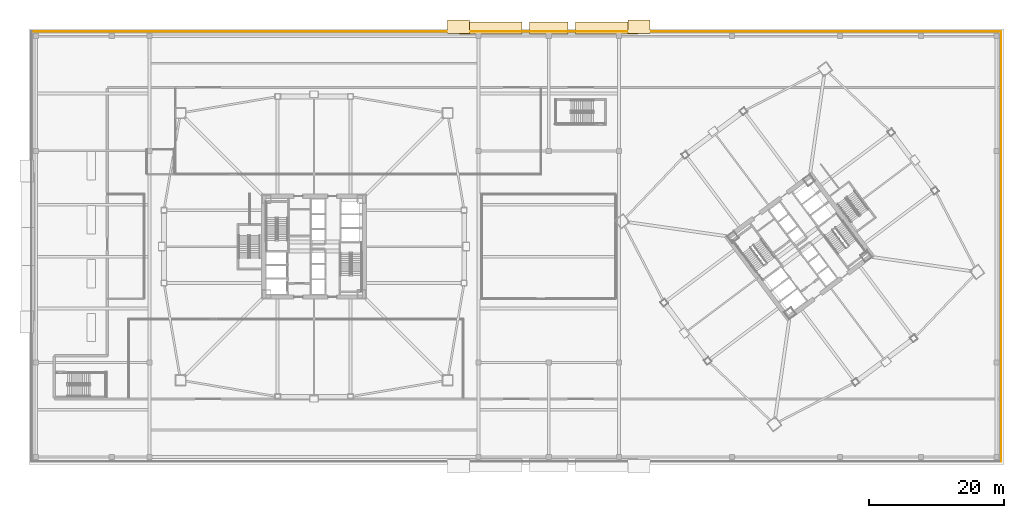
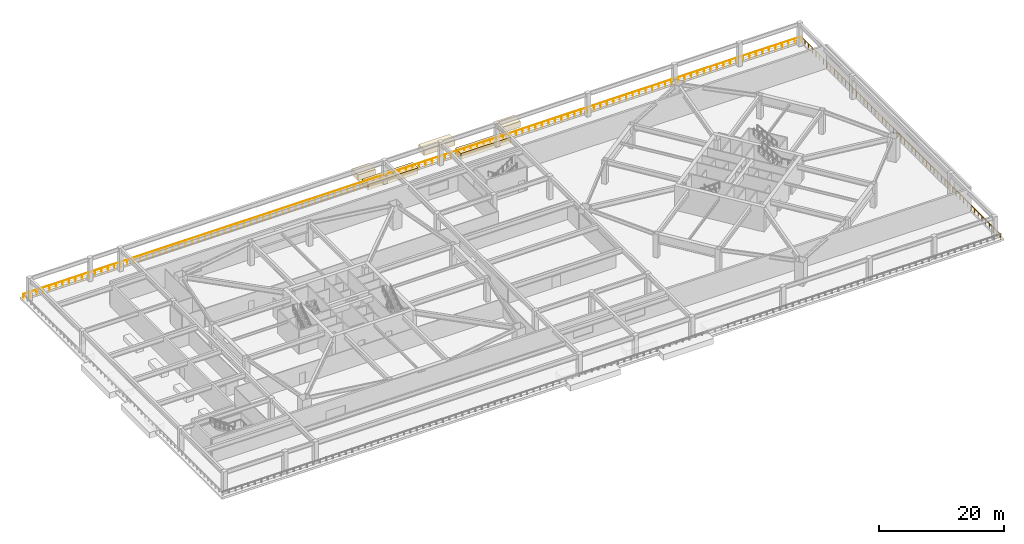
# One storey, part 21 of 21: 5 coverings, 2 railings.
"""IFC4 building model written with IfcOpenShell, lengths in metres."""

from ifc_helpers import new_model, si_unit, direction, frame, origin, origin_2d, place, context, subcontext, project, spatial, rectangle, extrude, material, layer, layer_set, type_object, element, save


model = new_model("IFC4")

# Units and contexts
model_context = context("Model", 3, precision=1e-05, world=origin(), true_north=direction((0.0, 1.0)))
body_context = subcontext(model_context, "Body", "Model", "MODEL_VIEW")
ifc_project = project(units=[si_unit("LENGTHUNIT", "METRE"), si_unit("AREAUNIT", "SQUARE_METRE"), si_unit("VOLUMEUNIT", "CUBIC_METRE"), si_unit("PLANEANGLEUNIT", "RADIAN"), si_unit("MASSUNIT", "GRAM", prefix="KILO")], contexts=[model_context])

# Site, building, storey
site_placement = place(None, origin())
site = spatial("IfcSite", under=ifc_project, at=site_placement, CompositionType="ELEMENT")
building_placement = place(site_placement, origin())
building = spatial("IfcBuilding", under=site, at=building_placement, Name="Tashvorn Skyway Center", CompositionType="ELEMENT")
storey_placement = place(building_placement, frame((0.0, 0.0, 19.800048828125)))
storey = spatial("IfcBuildingStorey", under=building, at=storey_placement, Name="L04", CompositionType="ELEMENT", Elevation=19.800048828125)

# Coverings
ifc_material_1 = material(Name="Precast concrete C40/50", Category="concrete")
ifc_layer = layer(ifc_material_1, 0.35009765625)
ifc_layer_set = layer_set([ifc_layer], Name="Precast concrete C40/50")
covering_type = type_object("IfcCoveringType", Name="COV-STONE-TRIM", PredefinedType="CLADDING", material=ifc_layer_set)
for number, where, z_axis, x_axis, name in (
    (1, (63.39990234375, 64.60009765625, 1.77490234375), (0.0, 0.0, 1.0), (1.0, 0.0, 0.0), "Station Pylon Terracotta Capital NORTH 1"),
    (2, (90.199951171875, 64.60009765625, 1.77490234375), (0.0, 0.0, 1.0), (1.0, 0.0, 0.0), "Station Pylon Terracotta Capital NORTH 2"),
):
    element("IfcCovering", number, at=place(storey_placement, frame(where, z_axis=z_axis, x_axis=x_axis)), inside=storey, type_object=covering_type, Name=name, PredefinedType="CLADDING", context=body_context, shape_type="SweptSolid", body=[
        extrude(rectangle(XDim=3.25, YDim=2.0, at=origin_2d()), origin(), (0.0, 0.0, 1.0), 1.14990234375),
    ])
for number, where, z_axis, x_axis, name in (
    (3, (68.199951171875, 64.419921875, -0.610107421875), (0.0, 0.0, 1.0), (1.0, 0.0, 0.0), "Station Split-Pediment Terracotta Crest NORTH L"),
    (4, (85.39990234375, 64.419921875, -0.610107421875), (0.0, 0.0, 1.0), (1.0, 0.0, 0.0), "Station Split-Pediment Terracotta Crest NORTH R"),
):
    element("IfcCovering", number, at=place(storey_placement, frame(where, z_axis=z_axis, x_axis=x_axis)), inside=storey, type_object=covering_type, Name=name, PredefinedType="CLADDING", context=body_context, shape_type="SweptSolid", body=[
        extrude(rectangle(XDim=9.300048828125, YDim=1.800048828125, at=origin_2d()), origin(), (0.0, 0.0, 1.0), 1.1201171875),
    ])
covering_placement = place(storey_placement, frame((76.800048828125, 64.419921875, 2.489990234375), z_axis=(0.0, 0.0, 1.0), x_axis=(1.0, 0.0, 0.0)))
element("IfcCovering", 5, at=covering_placement, inside=storey, type_object=covering_type, Name="Station Split-Pediment Terracotta Crest NORTH KEY", PredefinedType="CLADDING", context=body_context, shape_type="SweptSolid", body=[
    extrude(rectangle(XDim=5.699951171875, YDim=1.800048828125, at=origin_2d()), origin(), (0.0, 0.0, 1.0), 1.1201171875),
])

# Railings
ifc_material_2 = material(Name="Galvanized steel S355", Category="steel")
railing_type = type_object("IfcRailingType", Name="RAIL-GUARD-1120", PredefinedType="GUARDRAIL", material=ifc_material_2)
railing_1_placement = place(storey_placement, frame((143.8798828125, 0.1201171875, 0.0)))
element("IfcRailing", 6, at=railing_1_placement, inside=storey, type_object=railing_type, Name="L04 Stepped Podium Colonnade Terrace Guardrail 02", PredefinedType="GUARDRAIL", context=body_context, shape_type="SweptSolid", body=[
    extrude(rectangle(XDim=0.048095703125, YDim=0.048095703125, at=origin_2d()), frame((0.0, 0.0, 1.09619140625), z_axis=(0.0, 1.0, 0.0), x_axis=(-1.0, 0.0, 0.0)), (0.0, 0.0, 1.0), 63.759765625),
    extrude(rectangle(XDim=0.0419921875, YDim=0.0419921875, at=origin_2d()), origin(), (0.0, 0.0, 1.0), 1.072021484375),
    extrude(rectangle(XDim=0.0419921875, YDim=0.0419921875, at=origin_2d()), frame((0.0, 1.1806640625, 0.0)), (0.0, 0.0, 1.0), 1.072021484375),
    extrude(rectangle(XDim=0.0419921875, YDim=0.0419921875, at=origin_2d()), frame((0.0, 2.361572265625, 0.0)), (0.0, 0.0, 1.0), 1.072021484375),
    extrude(rectangle(XDim=0.0419921875, YDim=0.0419921875, at=origin_2d()), frame((0.0, 3.542236328125, 0.0)), (0.0, 0.0, 1.0), 1.072021484375),
    extrude(rectangle(XDim=0.0419921875, YDim=0.0419921875, at=origin_2d()), frame((0.0, 4.722900390625, 0.0)), (0.0, 0.0, 1.0), 1.072021484375),
    extrude(rectangle(XDim=0.0419921875, YDim=0.0419921875, at=origin_2d()), frame((0.0, 5.903564453125, 0.0)), (0.0, 0.0, 1.0), 1.072021484375),
    extrude(rectangle(XDim=0.0419921875, YDim=0.0419921875, at=origin_2d()), frame((0.0, 7.08447265625, 0.0)), (0.0, 0.0, 1.0), 1.072021484375),
    extrude(rectangle(XDim=0.0419921875, YDim=0.0419921875, at=origin_2d()), frame((0.0, 8.26513671875, 0.0)), (0.0, 0.0, 1.0), 1.072021484375),
    extrude(rectangle(XDim=0.0419921875, YDim=0.0419921875, at=origin_2d()), frame((0.0, 9.44580078125, 0.0)), (0.0, 0.0, 1.0), 1.072021484375),
    extrude(rectangle(XDim=0.0419921875, YDim=0.0419921875, at=origin_2d()), frame((0.0, 10.626708984375, 0.0)), (0.0, 0.0, 1.0), 1.072021484375),
    extrude(rectangle(XDim=0.0419921875, YDim=0.0419921875, at=origin_2d()), frame((0.0, 11.807373046875, 0.0)), (0.0, 0.0, 1.0), 1.072021484375),
    extrude(rectangle(XDim=0.0419921875, YDim=0.0419921875, at=origin_2d()), frame((0.0, 12.988037109375, 0.0)), (0.0, 0.0, 1.0), 1.072021484375),
    extrude(rectangle(XDim=0.0419921875, YDim=0.0419921875, at=origin_2d()), frame((0.0, 14.1689453125, 0.0)), (0.0, 0.0, 1.0), 1.072021484375),
    extrude(rectangle(XDim=0.0419921875, YDim=0.0419921875, at=origin_2d()), frame((0.0, 15.349609375, 0.0)), (0.0, 0.0, 1.0), 1.072021484375),
    extrude(rectangle(XDim=0.0419921875, YDim=0.0419921875, at=origin_2d()), frame((0.0, 16.5302734375, 0.0)), (0.0, 0.0, 1.0), 1.072021484375),
    extrude(rectangle(XDim=0.0419921875, YDim=0.0419921875, at=origin_2d()), frame((0.0, 17.7109375, 0.0)), (0.0, 0.0, 1.0), 1.072021484375),
    extrude(rectangle(XDim=0.0419921875, YDim=0.0419921875, at=origin_2d()), frame((0.0, 18.891845703125, 0.0)), (0.0, 0.0, 1.0), 1.072021484375),
    extrude(rectangle(XDim=0.0419921875, YDim=0.0419921875, at=origin_2d()), frame((0.0, 20.072509765625, 0.0)), (0.0, 0.0, 1.0), 1.072021484375),
    extrude(rectangle(XDim=0.0419921875, YDim=0.0419921875, at=origin_2d()), frame((0.0, 21.253173828125, 0.0)), (0.0, 0.0, 1.0), 1.072021484375),
    extrude(rectangle(XDim=0.0419921875, YDim=0.0419921875, at=origin_2d()), frame((0.0, 22.43408203125, 0.0)), (0.0, 0.0, 1.0), 1.072021484375),
    extrude(rectangle(XDim=0.0419921875, YDim=0.0419921875, at=origin_2d()), frame((0.0, 23.61474609375, 0.0)), (0.0, 0.0, 1.0), 1.072021484375),
    extrude(rectangle(XDim=0.0419921875, YDim=0.0419921875, at=origin_2d()), frame((0.0, 24.79541015625, 0.0)), (0.0, 0.0, 1.0), 1.072021484375),
    extrude(rectangle(XDim=0.0419921875, YDim=0.0419921875, at=origin_2d()), frame((0.0, 25.976318359375, 0.0)), (0.0, 0.0, 1.0), 1.072021484375),
    extrude(rectangle(XDim=0.0419921875, YDim=0.0419921875, at=origin_2d()), frame((0.0, 27.156982421875, 0.0)), (0.0, 0.0, 1.0), 1.072021484375),
    extrude(rectangle(XDim=0.0419921875, YDim=0.0419921875, at=origin_2d()), frame((0.0, 28.337646484375, 0.0)), (0.0, 0.0, 1.0), 1.072021484375),
    extrude(rectangle(XDim=0.0419921875, YDim=0.0419921875, at=origin_2d()), frame((0.0, 29.518310546875, 0.0)), (0.0, 0.0, 1.0), 1.072021484375),
    extrude(rectangle(XDim=0.0419921875, YDim=0.0419921875, at=origin_2d()), frame((0.0, 30.69921875, 0.0)), (0.0, 0.0, 1.0), 1.072021484375),
    extrude(rectangle(XDim=0.0419921875, YDim=0.0419921875, at=origin_2d()), frame((0.0, 31.8798828125, 0.0)), (0.0, 0.0, 1.0), 1.072021484375),
    extrude(rectangle(XDim=0.0419921875, YDim=0.0419921875, at=origin_2d()), frame((0.0, 33.060546875, 0.0)), (0.0, 0.0, 1.0), 1.072021484375),
    extrude(rectangle(XDim=0.0419921875, YDim=0.0419921875, at=origin_2d()), frame((0.0, 34.241455078125, 0.0)), (0.0, 0.0, 1.0), 1.072021484375),
    extrude(rectangle(XDim=0.0419921875, YDim=0.0419921875, at=origin_2d()), frame((0.0, 35.422119140625, 0.0)), (0.0, 0.0, 1.0), 1.072021484375),
    extrude(rectangle(XDim=0.0419921875, YDim=0.0419921875, at=origin_2d()), frame((0.0, 36.602783203125, 0.0)), (0.0, 0.0, 1.0), 1.072021484375),
    extrude(rectangle(XDim=0.0419921875, YDim=0.0419921875, at=origin_2d()), frame((0.0, 37.783447265625, 0.0)), (0.0, 0.0, 1.0), 1.072021484375),
    extrude(rectangle(XDim=0.0419921875, YDim=0.0419921875, at=origin_2d()), frame((0.0, 38.96435546875, 0.0)), (0.0, 0.0, 1.0), 1.072021484375),
    extrude(rectangle(XDim=0.0419921875, YDim=0.0419921875, at=origin_2d()), frame((0.0, 40.14501953125, 0.0)), (0.0, 0.0, 1.0), 1.072021484375),
    extrude(rectangle(XDim=0.0419921875, YDim=0.0419921875, at=origin_2d()), frame((0.0, 41.32568359375, 0.0)), (0.0, 0.0, 1.0), 1.072021484375),
    extrude(rectangle(XDim=0.0419921875, YDim=0.0419921875, at=origin_2d()), frame((0.0, 42.506591796875, 0.0)), (0.0, 0.0, 1.0), 1.072021484375),
    extrude(rectangle(XDim=0.0419921875, YDim=0.0419921875, at=origin_2d()), frame((0.0, 43.687255859375, 0.0)), (0.0, 0.0, 1.0), 1.072021484375),
    extrude(rectangle(XDim=0.0419921875, YDim=0.0419921875, at=origin_2d()), frame((0.0, 44.867919921875, 0.0)), (0.0, 0.0, 1.0), 1.072021484375),
    extrude(rectangle(XDim=0.0419921875, YDim=0.0419921875, at=origin_2d()), frame((0.0, 46.048828125, 0.0)), (0.0, 0.0, 1.0), 1.072021484375),
    extrude(rectangle(XDim=0.0419921875, YDim=0.0419921875, at=origin_2d()), frame((0.0, 47.2294921875, 0.0)), (0.0, 0.0, 1.0), 1.072021484375),
    extrude(rectangle(XDim=0.0419921875, YDim=0.0419921875, at=origin_2d()), frame((0.0, 48.41015625, 0.0)), (0.0, 0.0, 1.0), 1.072021484375),
    extrude(rectangle(XDim=0.0419921875, YDim=0.0419921875, at=origin_2d()), frame((0.0, 49.5908203125, 0.0)), (0.0, 0.0, 1.0), 1.072021484375),
    extrude(rectangle(XDim=0.0419921875, YDim=0.0419921875, at=origin_2d()), frame((0.0, 50.771728515625, 0.0)), (0.0, 0.0, 1.0), 1.072021484375),
    extrude(rectangle(XDim=0.0419921875, YDim=0.0419921875, at=origin_2d()), frame((0.0, 51.952392578125, 0.0)), (0.0, 0.0, 1.0), 1.072021484375),
    extrude(rectangle(XDim=0.0419921875, YDim=0.0419921875, at=origin_2d()), frame((0.0, 53.133056640625, 0.0)), (0.0, 0.0, 1.0), 1.072021484375),
    extrude(rectangle(XDim=0.0419921875, YDim=0.0419921875, at=origin_2d()), frame((0.0, 54.31396484375, 0.0)), (0.0, 0.0, 1.0), 1.072021484375),
    extrude(rectangle(XDim=0.0419921875, YDim=0.0419921875, at=origin_2d()), frame((0.0, 55.49462890625, 0.0)), (0.0, 0.0, 1.0), 1.072021484375),
    extrude(rectangle(XDim=0.0419921875, YDim=0.0419921875, at=origin_2d()), frame((0.0, 56.67529296875, 0.0)), (0.0, 0.0, 1.0), 1.072021484375),
    extrude(rectangle(XDim=0.0419921875, YDim=0.0419921875, at=origin_2d()), frame((0.0, 57.856201171875, 0.0)), (0.0, 0.0, 1.0), 1.072021484375),
    extrude(rectangle(XDim=0.0419921875, YDim=0.0419921875, at=origin_2d()), frame((0.0, 59.036865234375, 0.0)), (0.0, 0.0, 1.0), 1.072021484375),
    extrude(rectangle(XDim=0.0419921875, YDim=0.0419921875, at=origin_2d()), frame((0.0, 60.217529296875, 0.0)), (0.0, 0.0, 1.0), 1.072021484375),
    extrude(rectangle(XDim=0.0419921875, YDim=0.0419921875, at=origin_2d()), frame((0.0, 61.398193359375, 0.0)), (0.0, 0.0, 1.0), 1.072021484375),
    extrude(rectangle(XDim=0.0419921875, YDim=0.0419921875, at=origin_2d()), frame((0.0, 62.5791015625, 0.0)), (0.0, 0.0, 1.0), 1.072021484375),
    extrude(rectangle(XDim=0.0419921875, YDim=0.0419921875, at=origin_2d()), frame((0.0, 63.759765625, 0.0)), (0.0, 0.0, 1.0), 1.072021484375),
])
railing_2_placement = place(storey_placement, frame((143.8798828125, 63.8798828125, 0.0)))
element("IfcRailing", 7, at=railing_2_placement, inside=storey, type_object=railing_type, Name="L04 Stepped Podium Colonnade Terrace Guardrail 03", PredefinedType="GUARDRAIL", context=body_context, shape_type="SweptSolid", body=[
    extrude(rectangle(XDim=0.048095703125, YDim=0.048095703125, at=origin_2d()), frame((0.0, 0.0, 1.09619140625), z_axis=(-1.0, 0.0, 0.0), x_axis=(0.0, -1.0, 0.0)), (0.0, 0.0, 1.0), 143.759765625),
    extrude(rectangle(XDim=0.0419921875, YDim=0.0419921875, at=origin_2d()), origin(), (0.0, 0.0, 1.0), 1.072021484375),
    extrude(rectangle(XDim=0.0419921875, YDim=0.0419921875, at=origin_2d()), frame((-1.197998046875, 0.0, 0.0)), (0.0, 0.0, 1.0), 1.072021484375),
    extrude(rectangle(XDim=0.0419921875, YDim=0.0419921875, at=origin_2d()), frame((-2.39599609375, 0.0, 0.0)), (0.0, 0.0, 1.0), 1.072021484375),
    extrude(rectangle(XDim=0.0419921875, YDim=0.0419921875, at=origin_2d()), frame((-3.593994140625, 0.0, 0.0)), (0.0, 0.0, 1.0), 1.072021484375),
    extrude(rectangle(XDim=0.0419921875, YDim=0.0419921875, at=origin_2d()), frame((-4.7919921875, 0.0, 0.0)), (0.0, 0.0, 1.0), 1.072021484375),
    extrude(rectangle(XDim=0.0419921875, YDim=0.0419921875, at=origin_2d()), frame((-5.989990234375, 0.0, 0.0)), (0.0, 0.0, 1.0), 1.072021484375),
    extrude(rectangle(XDim=0.0419921875, YDim=0.0419921875, at=origin_2d()), frame((-7.18798828125, 0.0, 0.0)), (0.0, 0.0, 1.0), 1.072021484375),
    extrude(rectangle(XDim=0.0419921875, YDim=0.0419921875, at=origin_2d()), frame((-8.385986328125, 0.0, 0.0)), (0.0, 0.0, 1.0), 1.072021484375),
    extrude(rectangle(XDim=0.0419921875, YDim=0.0419921875, at=origin_2d()), frame((-9.583984375, 0.0, 0.0)), (0.0, 0.0, 1.0), 1.072021484375),
    extrude(rectangle(XDim=0.0419921875, YDim=0.0419921875, at=origin_2d()), frame((-10.781982421875, 0.0, 0.0)), (0.0, 0.0, 1.0), 1.072021484375),
    extrude(rectangle(XDim=0.0419921875, YDim=0.0419921875, at=origin_2d()), frame((-11.97998046875, 0.0, 0.0)), (0.0, 0.0, 1.0), 1.072021484375),
    extrude(rectangle(XDim=0.0419921875, YDim=0.0419921875, at=origin_2d()), frame((-13.177978515625, 0.0, 0.0)), (0.0, 0.0, 1.0), 1.072021484375),
    extrude(rectangle(XDim=0.0419921875, YDim=0.0419921875, at=origin_2d()), frame((-14.3759765625, 0.0, 0.0)), (0.0, 0.0, 1.0), 1.072021484375),
    extrude(rectangle(XDim=0.0419921875, YDim=0.0419921875, at=origin_2d()), frame((-15.573974609375, 0.0, 0.0)), (0.0, 0.0, 1.0), 1.072021484375),
    extrude(rectangle(XDim=0.0419921875, YDim=0.0419921875, at=origin_2d()), frame((-16.77197265625, 0.0, 0.0)), (0.0, 0.0, 1.0), 1.072021484375),
    extrude(rectangle(XDim=0.0419921875, YDim=0.0419921875, at=origin_2d()), frame((-17.969970703125, 0.0, 0.0)), (0.0, 0.0, 1.0), 1.072021484375),
    extrude(rectangle(XDim=0.0419921875, YDim=0.0419921875, at=origin_2d()), frame((-19.16796875, 0.0, 0.0)), (0.0, 0.0, 1.0), 1.072021484375),
    extrude(rectangle(XDim=0.0419921875, YDim=0.0419921875, at=origin_2d()), frame((-20.365966796875, 0.0, 0.0)), (0.0, 0.0, 1.0), 1.072021484375),
    extrude(rectangle(XDim=0.0419921875, YDim=0.0419921875, at=origin_2d()), frame((-21.56396484375, 0.0, 0.0)), (0.0, 0.0, 1.0), 1.072021484375),
    extrude(rectangle(XDim=0.0419921875, YDim=0.0419921875, at=origin_2d()), frame((-22.761962890625, 0.0, 0.0)), (0.0, 0.0, 1.0), 1.072021484375),
    extrude(rectangle(XDim=0.0419921875, YDim=0.0419921875, at=origin_2d()), frame((-23.9599609375, 0.0, 0.0)), (0.0, 0.0, 1.0), 1.072021484375),
    extrude(rectangle(XDim=0.0419921875, YDim=0.0419921875, at=origin_2d()), frame((-25.157958984375, 0.0, 0.0)), (0.0, 0.0, 1.0), 1.072021484375),
    extrude(rectangle(XDim=0.0419921875, YDim=0.0419921875, at=origin_2d()), frame((-26.35595703125, 0.0, 0.0)), (0.0, 0.0, 1.0), 1.072021484375),
    extrude(rectangle(XDim=0.0419921875, YDim=0.0419921875, at=origin_2d()), frame((-27.553955078125, 0.0, 0.0)), (0.0, 0.0, 1.0), 1.072021484375),
    extrude(rectangle(XDim=0.0419921875, YDim=0.0419921875, at=origin_2d()), frame((-28.751953125, 0.0, 0.0)), (0.0, 0.0, 1.0), 1.072021484375),
    extrude(rectangle(XDim=0.0419921875, YDim=0.0419921875, at=origin_2d()), frame((-29.949951171875, 0.0, 0.0)), (0.0, 0.0, 1.0), 1.072021484375),
    extrude(rectangle(XDim=0.0419921875, YDim=0.0419921875, at=origin_2d()), frame((-31.14794921875, 0.0, 0.0)), (0.0, 0.0, 1.0), 1.072021484375),
    extrude(rectangle(XDim=0.0419921875, YDim=0.0419921875, at=origin_2d()), frame((-32.345947265625, 0.0, 0.0)), (0.0, 0.0, 1.0), 1.072021484375),
    extrude(rectangle(XDim=0.0419921875, YDim=0.0419921875, at=origin_2d()), frame((-33.5439453125, 0.0, 0.0)), (0.0, 0.0, 1.0), 1.072021484375),
    extrude(rectangle(XDim=0.0419921875, YDim=0.0419921875, at=origin_2d()), frame((-34.741943359375, 0.0, 0.0)), (0.0, 0.0, 1.0), 1.072021484375),
    extrude(rectangle(XDim=0.0419921875, YDim=0.0419921875, at=origin_2d()), frame((-35.93994140625, 0.0, 0.0)), (0.0, 0.0, 1.0), 1.072021484375),
    extrude(rectangle(XDim=0.0419921875, YDim=0.0419921875, at=origin_2d()), frame((-37.137939453125, 0.0, 0.0)), (0.0, 0.0, 1.0), 1.072021484375),
    extrude(rectangle(XDim=0.0419921875, YDim=0.0419921875, at=origin_2d()), frame((-38.3359375, 0.0, 0.0)), (0.0, 0.0, 1.0), 1.072021484375),
    extrude(rectangle(XDim=0.0419921875, YDim=0.0419921875, at=origin_2d()), frame((-39.533935546875, 0.0, 0.0)), (0.0, 0.0, 1.0), 1.072021484375),
    extrude(rectangle(XDim=0.0419921875, YDim=0.0419921875, at=origin_2d()), frame((-40.73193359375, 0.0, 0.0)), (0.0, 0.0, 1.0), 1.072021484375),
    extrude(rectangle(XDim=0.0419921875, YDim=0.0419921875, at=origin_2d()), frame((-41.929931640625, 0.0, 0.0)), (0.0, 0.0, 1.0), 1.072021484375),
    extrude(rectangle(XDim=0.0419921875, YDim=0.0419921875, at=origin_2d()), frame((-43.1279296875, 0.0, 0.0)), (0.0, 0.0, 1.0), 1.072021484375),
    extrude(rectangle(XDim=0.0419921875, YDim=0.0419921875, at=origin_2d()), frame((-44.325927734375, 0.0, 0.0)), (0.0, 0.0, 1.0), 1.072021484375),
    extrude(rectangle(XDim=0.0419921875, YDim=0.0419921875, at=origin_2d()), frame((-45.52392578125, 0.0, 0.0)), (0.0, 0.0, 1.0), 1.072021484375),
    extrude(rectangle(XDim=0.0419921875, YDim=0.0419921875, at=origin_2d()), frame((-46.721923828125, 0.0, 0.0)), (0.0, 0.0, 1.0), 1.072021484375),
    extrude(rectangle(XDim=0.0419921875, YDim=0.0419921875, at=origin_2d()), frame((-47.919921875, 0.0, 0.0)), (0.0, 0.0, 1.0), 1.072021484375),
    extrude(rectangle(XDim=0.0419921875, YDim=0.0419921875, at=origin_2d()), frame((-49.117919921875, 0.0, 0.0)), (0.0, 0.0, 1.0), 1.072021484375),
    extrude(rectangle(XDim=0.0419921875, YDim=0.0419921875, at=origin_2d()), frame((-50.31591796875, 0.0, 0.0)), (0.0, 0.0, 1.0), 1.072021484375),
    extrude(rectangle(XDim=0.0419921875, YDim=0.0419921875, at=origin_2d()), frame((-51.513916015625, 0.0, 0.0)), (0.0, 0.0, 1.0), 1.072021484375),
    extrude(rectangle(XDim=0.0419921875, YDim=0.0419921875, at=origin_2d()), frame((-52.7119140625, 0.0, 0.0)), (0.0, 0.0, 1.0), 1.072021484375),
    extrude(rectangle(XDim=0.0419921875, YDim=0.0419921875, at=origin_2d()), frame((-53.909912109375, 0.0, 0.0)), (0.0, 0.0, 1.0), 1.072021484375),
    extrude(rectangle(XDim=0.0419921875, YDim=0.0419921875, at=origin_2d()), frame((-55.10791015625, 0.0, 0.0)), (0.0, 0.0, 1.0), 1.072021484375),
    extrude(rectangle(XDim=0.0419921875, YDim=0.0419921875, at=origin_2d()), frame((-56.305908203125, 0.0, 0.0)), (0.0, 0.0, 1.0), 1.072021484375),
    extrude(rectangle(XDim=0.0419921875, YDim=0.0419921875, at=origin_2d()), frame((-57.50390625, 0.0, 0.0)), (0.0, 0.0, 1.0), 1.072021484375),
    extrude(rectangle(XDim=0.0419921875, YDim=0.0419921875, at=origin_2d()), frame((-58.701904296875, 0.0, 0.0)), (0.0, 0.0, 1.0), 1.072021484375),
    extrude(rectangle(XDim=0.0419921875, YDim=0.0419921875, at=origin_2d()), frame((-59.89990234375, 0.0, 0.0)), (0.0, 0.0, 1.0), 1.072021484375),
    extrude(rectangle(XDim=0.0419921875, YDim=0.0419921875, at=origin_2d()), frame((-61.097900390625, 0.0, 0.0)), (0.0, 0.0, 1.0), 1.072021484375),
    extrude(rectangle(XDim=0.0419921875, YDim=0.0419921875, at=origin_2d()), frame((-62.2958984375, 0.0, 0.0)), (0.0, 0.0, 1.0), 1.072021484375),
    extrude(rectangle(XDim=0.0419921875, YDim=0.0419921875, at=origin_2d()), frame((-63.493896484375, 0.0, 0.0)), (0.0, 0.0, 1.0), 1.072021484375),
    extrude(rectangle(XDim=0.0419921875, YDim=0.0419921875, at=origin_2d()), frame((-64.69189453125, 0.0, 0.0)), (0.0, 0.0, 1.0), 1.072021484375),
    extrude(rectangle(XDim=0.0419921875, YDim=0.0419921875, at=origin_2d()), frame((-65.889892578125, 0.0, 0.0)), (0.0, 0.0, 1.0), 1.072021484375),
    extrude(rectangle(XDim=0.0419921875, YDim=0.0419921875, at=origin_2d()), frame((-67.087890625, 0.0, 0.0)), (0.0, 0.0, 1.0), 1.072021484375),
    extrude(rectangle(XDim=0.0419921875, YDim=0.0419921875, at=origin_2d()), frame((-68.285888671875, 0.0, 0.0)), (0.0, 0.0, 1.0), 1.072021484375),
    extrude(rectangle(XDim=0.0419921875, YDim=0.0419921875, at=origin_2d()), frame((-69.48388671875, 0.0, 0.0)), (0.0, 0.0, 1.0), 1.072021484375),
    extrude(rectangle(XDim=0.0419921875, YDim=0.0419921875, at=origin_2d()), frame((-70.681884765625, 0.0, 0.0)), (0.0, 0.0, 1.0), 1.072021484375),
    extrude(rectangle(XDim=0.0419921875, YDim=0.0419921875, at=origin_2d()), frame((-71.8798828125, 0.0, 0.0)), (0.0, 0.0, 1.0), 1.072021484375),
    extrude(rectangle(XDim=0.0419921875, YDim=0.0419921875, at=origin_2d()), frame((-73.077880859375, 0.0, 0.0)), (0.0, 0.0, 1.0), 1.072021484375),
    extrude(rectangle(XDim=0.0419921875, YDim=0.0419921875, at=origin_2d()), frame((-74.27587890625, 0.0, 0.0)), (0.0, 0.0, 1.0), 1.072021484375),
    extrude(rectangle(XDim=0.0419921875, YDim=0.0419921875, at=origin_2d()), frame((-75.473876953125, 0.0, 0.0)), (0.0, 0.0, 1.0), 1.072021484375),
    extrude(rectangle(XDim=0.0419921875, YDim=0.0419921875, at=origin_2d()), frame((-76.671875, 0.0, 0.0)), (0.0, 0.0, 1.0), 1.072021484375),
    extrude(rectangle(XDim=0.0419921875, YDim=0.0419921875, at=origin_2d()), frame((-77.869873046875, 0.0, 0.0)), (0.0, 0.0, 1.0), 1.072021484375),
    extrude(rectangle(XDim=0.0419921875, YDim=0.0419921875, at=origin_2d()), frame((-79.06787109375, 0.0, 0.0)), (0.0, 0.0, 1.0), 1.072021484375),
    extrude(rectangle(XDim=0.0419921875, YDim=0.0419921875, at=origin_2d()), frame((-80.265869140625, 0.0, 0.0)), (0.0, 0.0, 1.0), 1.072021484375),
    extrude(rectangle(XDim=0.0419921875, YDim=0.0419921875, at=origin_2d()), frame((-81.4638671875, 0.0, 0.0)), (0.0, 0.0, 1.0), 1.072021484375),
    extrude(rectangle(XDim=0.0419921875, YDim=0.0419921875, at=origin_2d()), frame((-82.661865234375, 0.0, 0.0)), (0.0, 0.0, 1.0), 1.072021484375),
    extrude(rectangle(XDim=0.0419921875, YDim=0.0419921875, at=origin_2d()), frame((-83.85986328125, 0.0, 0.0)), (0.0, 0.0, 1.0), 1.072021484375),
    extrude(rectangle(XDim=0.0419921875, YDim=0.0419921875, at=origin_2d()), frame((-85.057861328125, 0.0, 0.0)), (0.0, 0.0, 1.0), 1.072021484375),
    extrude(rectangle(XDim=0.0419921875, YDim=0.0419921875, at=origin_2d()), frame((-86.255859375, 0.0, 0.0)), (0.0, 0.0, 1.0), 1.072021484375),
    extrude(rectangle(XDim=0.0419921875, YDim=0.0419921875, at=origin_2d()), frame((-87.453857421875, 0.0, 0.0)), (0.0, 0.0, 1.0), 1.072021484375),
    extrude(rectangle(XDim=0.0419921875, YDim=0.0419921875, at=origin_2d()), frame((-88.65185546875, 0.0, 0.0)), (0.0, 0.0, 1.0), 1.072021484375),
    extrude(rectangle(XDim=0.0419921875, YDim=0.0419921875, at=origin_2d()), frame((-89.849853515625, 0.0, 0.0)), (0.0, 0.0, 1.0), 1.072021484375),
    extrude(rectangle(XDim=0.0419921875, YDim=0.0419921875, at=origin_2d()), frame((-91.0478515625, 0.0, 0.0)), (0.0, 0.0, 1.0), 1.072021484375),
    extrude(rectangle(XDim=0.0419921875, YDim=0.0419921875, at=origin_2d()), frame((-92.245849609375, 0.0, 0.0)), (0.0, 0.0, 1.0), 1.072021484375),
    extrude(rectangle(XDim=0.0419921875, YDim=0.0419921875, at=origin_2d()), frame((-93.44384765625, 0.0, 0.0)), (0.0, 0.0, 1.0), 1.072021484375),
    extrude(rectangle(XDim=0.0419921875, YDim=0.0419921875, at=origin_2d()), frame((-94.641845703125, 0.0, 0.0)), (0.0, 0.0, 1.0), 1.072021484375),
    extrude(rectangle(XDim=0.0419921875, YDim=0.0419921875, at=origin_2d()), frame((-95.83984375, 0.0, 0.0)), (0.0, 0.0, 1.0), 1.072021484375),
    extrude(rectangle(XDim=0.0419921875, YDim=0.0419921875, at=origin_2d()), frame((-97.037841796875, 0.0, 0.0)), (0.0, 0.0, 1.0), 1.072021484375),
    extrude(rectangle(XDim=0.0419921875, YDim=0.0419921875, at=origin_2d()), frame((-98.23583984375, 0.0, 0.0)), (0.0, 0.0, 1.0), 1.072021484375),
    extrude(rectangle(XDim=0.0419921875, YDim=0.0419921875, at=origin_2d()), frame((-99.433837890625, 0.0, 0.0)), (0.0, 0.0, 1.0), 1.072021484375),
    extrude(rectangle(XDim=0.0419921875, YDim=0.0419921875, at=origin_2d()), frame((-100.6318359375, 0.0, 0.0)), (0.0, 0.0, 1.0), 1.072021484375),
    extrude(rectangle(XDim=0.0419921875, YDim=0.0419921875, at=origin_2d()), frame((-101.829833984375, 0.0, 0.0)), (0.0, 0.0, 1.0), 1.072021484375),
    extrude(rectangle(XDim=0.0419921875, YDim=0.0419921875, at=origin_2d()), frame((-103.02783203125, 0.0, 0.0)), (0.0, 0.0, 1.0), 1.072021484375),
    extrude(rectangle(XDim=0.0419921875, YDim=0.0419921875, at=origin_2d()), frame((-104.225830078125, 0.0, 0.0)), (0.0, 0.0, 1.0), 1.072021484375),
    extrude(rectangle(XDim=0.0419921875, YDim=0.0419921875, at=origin_2d()), frame((-105.423828125, 0.0, 0.0)), (0.0, 0.0, 1.0), 1.072021484375),
    extrude(rectangle(XDim=0.0419921875, YDim=0.0419921875, at=origin_2d()), frame((-106.621826171875, 0.0, 0.0)), (0.0, 0.0, 1.0), 1.072021484375),
    extrude(rectangle(XDim=0.0419921875, YDim=0.0419921875, at=origin_2d()), frame((-107.81982421875, 0.0, 0.0)), (0.0, 0.0, 1.0), 1.072021484375),
    extrude(rectangle(XDim=0.0419921875, YDim=0.0419921875, at=origin_2d()), frame((-109.017822265625, 0.0, 0.0)), (0.0, 0.0, 1.0), 1.072021484375),
    extrude(rectangle(XDim=0.0419921875, YDim=0.0419921875, at=origin_2d()), frame((-110.2158203125, 0.0, 0.0)), (0.0, 0.0, 1.0), 1.072021484375),
    extrude(rectangle(XDim=0.0419921875, YDim=0.0419921875, at=origin_2d()), frame((-111.413818359375, 0.0, 0.0)), (0.0, 0.0, 1.0), 1.072021484375),
    extrude(rectangle(XDim=0.0419921875, YDim=0.0419921875, at=origin_2d()), frame((-112.61181640625, 0.0, 0.0)), (0.0, 0.0, 1.0), 1.072021484375),
    extrude(rectangle(XDim=0.0419921875, YDim=0.0419921875, at=origin_2d()), frame((-113.809814453125, 0.0, 0.0)), (0.0, 0.0, 1.0), 1.072021484375),
    extrude(rectangle(XDim=0.0419921875, YDim=0.0419921875, at=origin_2d()), frame((-115.0078125, 0.0, 0.0)), (0.0, 0.0, 1.0), 1.072021484375),
    extrude(rectangle(XDim=0.0419921875, YDim=0.0419921875, at=origin_2d()), frame((-116.205810546875, 0.0, 0.0)), (0.0, 0.0, 1.0), 1.072021484375),
    extrude(rectangle(XDim=0.0419921875, YDim=0.0419921875, at=origin_2d()), frame((-117.40380859375, 0.0, 0.0)), (0.0, 0.0, 1.0), 1.072021484375),
    extrude(rectangle(XDim=0.0419921875, YDim=0.0419921875, at=origin_2d()), frame((-118.601806640625, 0.0, 0.0)), (0.0, 0.0, 1.0), 1.072021484375),
    extrude(rectangle(XDim=0.0419921875, YDim=0.0419921875, at=origin_2d()), frame((-119.7998046875, 0.0, 0.0)), (0.0, 0.0, 1.0), 1.072021484375),
    extrude(rectangle(XDim=0.0419921875, YDim=0.0419921875, at=origin_2d()), frame((-120.997802734375, 0.0, 0.0)), (0.0, 0.0, 1.0), 1.072021484375),
    extrude(rectangle(XDim=0.0419921875, YDim=0.0419921875, at=origin_2d()), frame((-122.19580078125, 0.0, 0.0)), (0.0, 0.0, 1.0), 1.072021484375),
    extrude(rectangle(XDim=0.0419921875, YDim=0.0419921875, at=origin_2d()), frame((-123.393798828125, 0.0, 0.0)), (0.0, 0.0, 1.0), 1.072021484375),
    extrude(rectangle(XDim=0.0419921875, YDim=0.0419921875, at=origin_2d()), frame((-124.591796875, 0.0, 0.0)), (0.0, 0.0, 1.0), 1.072021484375),
    extrude(rectangle(XDim=0.0419921875, YDim=0.0419921875, at=origin_2d()), frame((-125.789794921875, 0.0, 0.0)), (0.0, 0.0, 1.0), 1.072021484375),
    extrude(rectangle(XDim=0.0419921875, YDim=0.0419921875, at=origin_2d()), frame((-126.98779296875, 0.0, 0.0)), (0.0, 0.0, 1.0), 1.072021484375),
    extrude(rectangle(XDim=0.0419921875, YDim=0.0419921875, at=origin_2d()), frame((-128.185791015625, 0.0, 0.0)), (0.0, 0.0, 1.0), 1.072021484375),
    extrude(rectangle(XDim=0.0419921875, YDim=0.0419921875, at=origin_2d()), frame((-129.3837890625, 0.0, 0.0)), (0.0, 0.0, 1.0), 1.072021484375),
    extrude(rectangle(XDim=0.0419921875, YDim=0.0419921875, at=origin_2d()), frame((-130.581787109375, 0.0, 0.0)), (0.0, 0.0, 1.0), 1.072021484375),
    extrude(rectangle(XDim=0.0419921875, YDim=0.0419921875, at=origin_2d()), frame((-131.77978515625, 0.0, 0.0)), (0.0, 0.0, 1.0), 1.072021484375),
    extrude(rectangle(XDim=0.0419921875, YDim=0.0419921875, at=origin_2d()), frame((-132.977783203125, 0.0, 0.0)), (0.0, 0.0, 1.0), 1.072021484375),
    extrude(rectangle(XDim=0.0419921875, YDim=0.0419921875, at=origin_2d()), frame((-134.17578125, 0.0, 0.0)), (0.0, 0.0, 1.0), 1.072021484375),
    extrude(rectangle(XDim=0.0419921875, YDim=0.0419921875, at=origin_2d()), frame((-135.373779296875, 0.0, 0.0)), (0.0, 0.0, 1.0), 1.072021484375),
    extrude(rectangle(XDim=0.0419921875, YDim=0.0419921875, at=origin_2d()), frame((-136.57177734375, 0.0, 0.0)), (0.0, 0.0, 1.0), 1.072021484375),
    extrude(rectangle(XDim=0.0419921875, YDim=0.0419921875, at=origin_2d()), frame((-137.769775390625, 0.0, 0.0)), (0.0, 0.0, 1.0), 1.072021484375),
    extrude(rectangle(XDim=0.0419921875, YDim=0.0419921875, at=origin_2d()), frame((-138.9677734375, 0.0, 0.0)), (0.0, 0.0, 1.0), 1.072021484375),
    extrude(rectangle(XDim=0.0419921875, YDim=0.0419921875, at=origin_2d()), frame((-140.165771484375, 0.0, 0.0)), (0.0, 0.0, 1.0), 1.072021484375),
    extrude(rectangle(XDim=0.0419921875, YDim=0.0419921875, at=origin_2d()), frame((-141.36376953125, 0.0, 0.0)), (0.0, 0.0, 1.0), 1.072021484375),
    extrude(rectangle(XDim=0.0419921875, YDim=0.0419921875, at=origin_2d()), frame((-142.561767578125, 0.0, 0.0)), (0.0, 0.0, 1.0), 1.072021484375),
    extrude(rectangle(XDim=0.0419921875, YDim=0.0419921875, at=origin_2d()), frame((-143.759765625, 0.0, 0.0)), (0.0, 0.0, 1.0), 1.072021484375),
])

save(model, "model.ifc")
